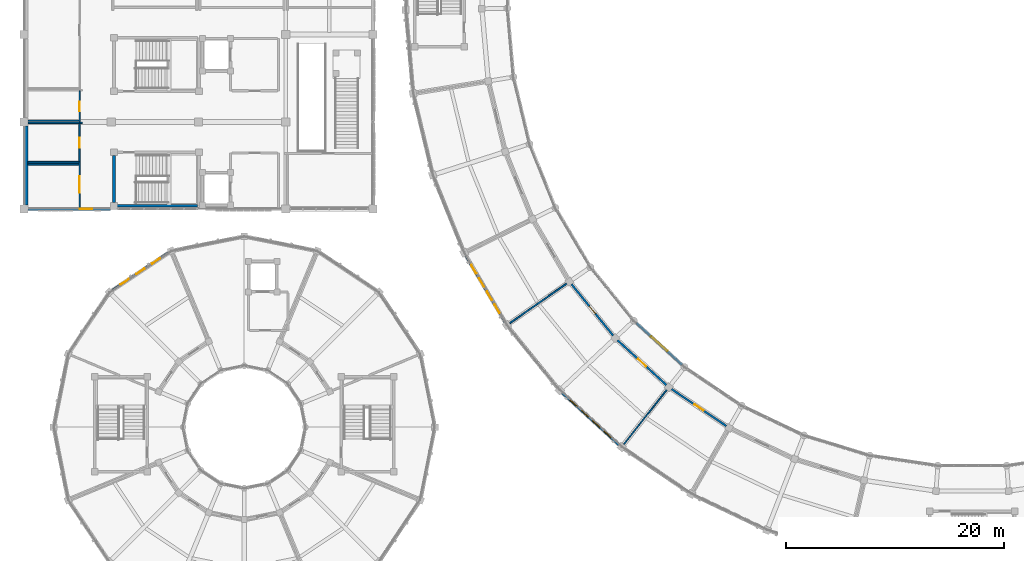
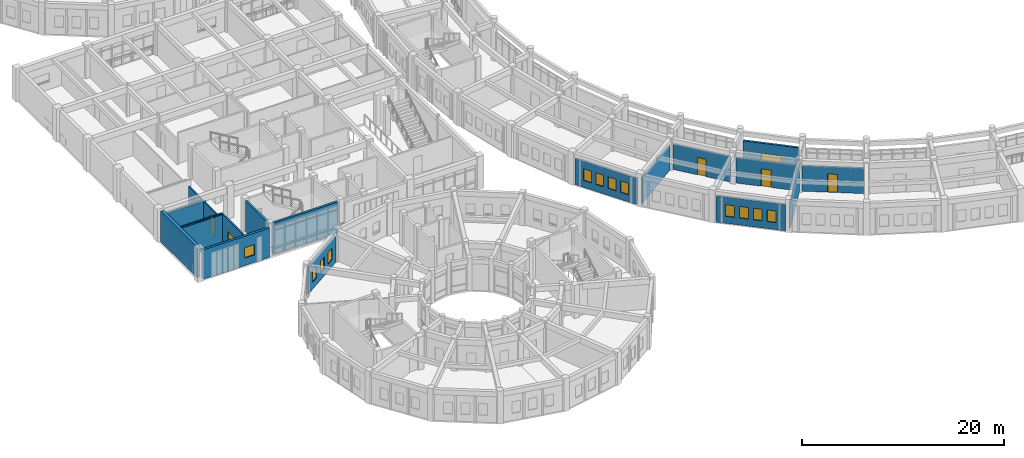
# One storey, part 119 of 159: 20 walls, 13 windows, 6 doors, 19 openings.
"""IFC4 building model written with IfcOpenShell, lengths in metres."""

from ifc_helpers import new_model, si_unit, direction, frame, frame_2d, origin, place, context, subcontext, project, spatial, rectangle, extrude, material, layer, layer_set, type_object, element, fill, save


model = new_model("IFC4")

# Units and contexts
model_context = context("Model", 3, precision=1e-05, world=origin(), true_north=direction((0.0, 1.0)))
body_context = subcontext(model_context, "Body", "Model", "MODEL_VIEW")
ifc_project = project(units=[si_unit("LENGTHUNIT", "METRE"), si_unit("AREAUNIT", "SQUARE_METRE"), si_unit("VOLUMEUNIT", "CUBIC_METRE"), si_unit("PLANEANGLEUNIT", "RADIAN"), si_unit("MASSUNIT", "GRAM", prefix="KILO")], contexts=[model_context])

# Site, building, storey
site_placement = place(None, origin())
site = spatial("IfcSite", under=ifc_project, at=site_placement, CompositionType="ELEMENT")
building_placement = place(site_placement, origin())
building = spatial("IfcBuilding", under=site, at=building_placement, Name="Celadon Cloister-Ring School", CompositionType="ELEMENT")
storey_placement = place(building_placement, frame((0.0, 0.0, 4.5)))
storey = spatial("IfcBuildingStorey", under=building, at=storey_placement, Name="L01", CompositionType="ELEMENT", Elevation=4.5)

# Wall, opening, window
ifc_material_1 = material(Name="Rendered concrete blockwork", Category="masonry")
ifc_layer_1 = layer(ifc_material_1, 0.260009765625)
ifc_layer_set_1 = layer_set([ifc_layer_1], Name="Rendered concrete blockwork")
wall_type_1 = type_object("IfcWallType", Name="WT-EX2", PredefinedType="SOLIDWALL", material=ifc_layer_set_1)
wall_1_placement = place(storey_placement, frame((7.947998046875, 40.0, 0.0), z_axis=(0.0, 0.0, 1.0), x_axis=(-1.0, 0.0, 0.0)))
wall_1 = element("IfcWall", 1, at=wall_1_placement, inside=storey, type_object=wall_type_1, Name="Exterior Wall 0509", PredefinedType="SOLIDWALL", context=body_context, shape_type="SweptSolid", body=[
    extrude(rectangle(XDim=7.571044921875, YDim=0.260009765625, at=frame_2d((3.78564453125, 0.0))), origin(), (0.0, 0.0, 1.0), 3.550048828125),
])
opening_1_placement = place(wall_1_placement, frame((1.696044921875, 0.0, 0.89990234375)))
opening_1 = element("IfcOpeningElement", 2, at=opening_1_placement, cuts=wall_1, Name="Opening WN-13", PredefinedType="OPENING", context=body_context, shape_type="SweptSolid", body=[
    extrude(rectangle(XDim=1.14990234375, YDim=1.25, at=frame_2d((0.574951171875, 0.625))), frame((0.0, 0.14013671875, 0.0), z_axis=(0.0, -1.0, 0.0), x_axis=(1.0, 0.0, 0.0)), (0.0, 0.0, 1.0), 0.280029296875),
])
ifc_material_2 = material(Name="Tempered laminated insulating glass", Category="glass")
window_type_1 = type_object("IfcWindowType", Name="WN-13", PartitioningType="SINGLE_PANEL", PredefinedType="WINDOW", material=ifc_material_2)
window_1_placement = place(opening_1_placement, origin())
window_1 = element("IfcWindow", 3, at=window_1_placement, inside=storey, type_object=window_type_1, Name="Window 1001", OverallHeight=1.25, OverallWidth=1.14990234375, PartitioningType="SINGLE_PANEL", PredefinedType="WINDOW", context=body_context, shape_type="SweptSolid", body=[
    extrude(rectangle(XDim=1.14990234375, YDim=1.25, at=frame_2d((0.574951171875, 0.625))), frame((0.0, 0.030029296875, 0.0), z_axis=(0.0, -1.0, 0.0), x_axis=(1.0, 0.0, 0.0)), (0.0, 0.0, 1.0), 0.06005859375),
])
fill(opening_1, window_1)

ifc_material_3 = material(Name="Rendered concrete blockwork", Category="masonry")
ifc_layer_2 = layer(ifc_material_3, 0.239990234375)
ifc_layer_set_2 = layer_set([ifc_layer_2], Name="Rendered concrete blockwork")
wall_type_2 = type_object("IfcWallType", Name="WT-EX3", PredefinedType="SOLIDWALL", material=ifc_layer_set_2)
wall_2_placement = place(storey_placement, frame((56.18701171875, 29.5439453125, 0.0), z_axis=(0.0, 0.0, 1.0), x_axis=(0.737581583684, -0.675258030245, 0.0)))
wall_2 = element("IfcWall", 4, at=wall_2_placement, inside=storey, type_object=wall_type_2, Name="Exterior Wall 0070", PredefinedType="SOLIDWALL", context=body_context, shape_type="SweptSolid", body=[
    extrude(rectangle(XDim=5.66455078125, YDim=0.239990234375, at=frame_2d((2.832275390625, 0.0))), origin(), (0.0, 0.0, 1.0), 3.550048828125),
])
opening_2_placement = place(wall_2_placement, frame((1.83203125, 0.0, 0.89990234375)))
opening_2 = element("IfcOpeningElement", 5, at=opening_2_placement, cuts=wall_2, Name="Opening WN-28", PredefinedType="OPENING", context=body_context, shape_type="SweptSolid", body=[
    extrude(rectangle(XDim=2.0, YDim=1.39990234375, at=frame_2d((1.0, 0.699951171875))), frame((0.0, 0.1298828125, 0.0), z_axis=(0.0, -1.0, 0.0), x_axis=(1.0, 0.0, 0.0)), (0.0, 0.0, 1.0), 0.260009765625),
])
ifc_material_4 = material(Name="Tempered laminated insulating glass", Category="glass")
window_type_2 = type_object("IfcWindowType", Name="WN-28", PartitioningType="DOUBLE_PANEL_VERTICAL", PredefinedType="WINDOW", material=ifc_material_4)
window_2_placement = place(opening_2_placement, origin())
window_2 = element("IfcWindow", 6, at=window_2_placement, inside=storey, type_object=window_type_2, Name="Window 0181", OverallHeight=1.39990234375, OverallWidth=2.0, PartitioningType="SINGLE_PANEL", PredefinedType="WINDOW", context=body_context, shape_type="SweptSolid", body=[
    extrude(rectangle(XDim=2.0, YDim=1.39990234375, at=frame_2d((1.0, 0.699951171875))), frame((0.0, 0.030029296875, 0.0), z_axis=(0.0, -1.0, 0.0), x_axis=(1.0, 0.0, 0.0)), (0.0, 0.0, 1.0), 0.06005859375),
])
fill(opening_2, window_2)

# Wall, openings, windows
ifc_material_5 = material(Name="Perforated terracotta clay brick masonry", Category="masonry")
ifc_layer_3 = layer(ifc_material_5, 0.219970703125)
ifc_layer_set_3 = layer_set([ifc_layer_3], Name="Perforated terracotta clay brick masonry")
wall_type_3 = type_object("IfcWallType", Name="WT-EX4", PredefinedType="SOLIDWALL", material=ifc_layer_set_3)
wall_3_placement = place(storey_placement, frame((44.116943359375, 29.6298828125, 0.0), z_axis=(0.0, 0.0, 1.0), x_axis=(-0.50780734215, 0.861470663028, 0.0)))
wall_3 = element("IfcWall", 7, at=wall_3_placement, inside=storey, type_object=wall_type_3, Name="Exterior Wall 0067", PredefinedType="SOLIDWALL", context=body_context, shape_type="SweptSolid", body=[
    extrude(rectangle(XDim=7.0322265625, YDim=0.219970703125, at=frame_2d((3.51611328125, 0.0))), origin(), (0.0, 0.0, 1.0), 3.172119140625),
])
opening_3_placement = place(wall_3_placement, frame((0.9560546875, 0.0, 0.85009765625)))
opening_3 = element("IfcOpeningElement", 8, at=opening_3_placement, cuts=wall_3, Name="Opening WN-21", PredefinedType="OPENING", context=body_context, shape_type="SweptSolid", body=[
    extrude(rectangle(XDim=0.89990234375, YDim=1.39990234375, at=frame_2d((0.449951171875, 0.699951171875))), frame((0.0, 0.1201171875, 0.0), z_axis=(0.0, -1.0, 0.0), x_axis=(1.0, 0.0, 0.0)), (0.0, 0.0, 1.0), 0.239990234375),
])
opening_4_placement = place(wall_3_placement, frame((2.363037109375, 0.0, 0.85009765625)))
opening_4 = element("IfcOpeningElement", 9, at=opening_4_placement, cuts=wall_3, Name="Opening WN-21", PredefinedType="OPENING", context=body_context, shape_type="SweptSolid", body=[
    extrude(rectangle(XDim=0.89990234375, YDim=1.39990234375, at=frame_2d((0.449951171875, 0.699951171875))), frame((0.0, 0.1201171875, 0.0), z_axis=(0.0, -1.0, 0.0), x_axis=(1.0, 0.0, 0.0)), (0.0, 0.0, 1.0), 0.239990234375),
])
opening_5_placement = place(wall_3_placement, frame((3.76904296875, 0.0, 0.85009765625)))
opening_5 = element("IfcOpeningElement", 10, at=opening_5_placement, cuts=wall_3, Name="Opening WN-21", PredefinedType="OPENING", context=body_context, shape_type="SweptSolid", body=[
    extrude(rectangle(XDim=0.89990234375, YDim=1.39990234375, at=frame_2d((0.449951171875, 0.699951171875))), frame((0.0, 0.1201171875, 0.0), z_axis=(0.0, -1.0, 0.0), x_axis=(1.0, 0.0, 0.0)), (0.0, 0.0, 1.0), 0.239990234375),
])
opening_6_placement = place(wall_3_placement, frame((5.176025390625, 0.0, 0.85009765625)))
opening_6 = element("IfcOpeningElement", 11, at=opening_6_placement, cuts=wall_3, Name="Opening WN-21", PredefinedType="OPENING", context=body_context, shape_type="SweptSolid", body=[
    extrude(rectangle(XDim=0.89990234375, YDim=1.39990234375, at=frame_2d((0.449951171875, 0.699951171875))), frame((0.0, 0.1201171875, 0.0), z_axis=(0.0, -1.0, 0.0), x_axis=(1.0, 0.0, 0.0)), (0.0, 0.0, 1.0), 0.239990234375),
])
ifc_material_6 = material(Name="Tempered laminated insulating glass", Category="glass")
window_type_3 = type_object("IfcWindowType", Name="WN-21", PartitioningType="SINGLE_PANEL", PredefinedType="WINDOW", material=ifc_material_6)
window_3_placement = place(opening_3_placement, origin())
window_3 = element("IfcWindow", 12, at=window_3_placement, inside=storey, type_object=window_type_3, Name="Window 0169", OverallHeight=1.39990234375, OverallWidth=0.89990234375, PartitioningType="SINGLE_PANEL", PredefinedType="WINDOW", context=body_context, shape_type="SweptSolid", body=[
    extrude(rectangle(XDim=0.89990234375, YDim=1.39990234375, at=frame_2d((0.449951171875, 0.699951171875))), frame((0.0, 0.030029296875, 0.0), z_axis=(0.0, -1.0, 0.0), x_axis=(1.0, 0.0, 0.0)), (0.0, 0.0, 1.0), 0.06005859375),
])
fill(opening_3, window_3)
window_4_placement = place(opening_4_placement, origin())
window_4 = element("IfcWindow", 13, at=window_4_placement, inside=storey, type_object=window_type_3, Name="Window 0170", OverallHeight=1.39990234375, OverallWidth=0.89990234375, PartitioningType="SINGLE_PANEL", PredefinedType="WINDOW", context=body_context, shape_type="SweptSolid", body=[
    extrude(rectangle(XDim=0.89990234375, YDim=1.39990234375, at=frame_2d((0.449951171875, 0.699951171875))), frame((0.0, 0.030029296875, 0.0), z_axis=(0.0, -1.0, 0.0), x_axis=(1.0, 0.0, 0.0)), (0.0, 0.0, 1.0), 0.06005859375),
])
fill(opening_4, window_4)
window_5_placement = place(opening_5_placement, origin())
window_5 = element("IfcWindow", 14, at=window_5_placement, inside=storey, type_object=window_type_3, Name="Window 0171", OverallHeight=1.39990234375, OverallWidth=0.89990234375, PartitioningType="SINGLE_PANEL", PredefinedType="WINDOW", context=body_context, shape_type="SweptSolid", body=[
    extrude(rectangle(XDim=0.89990234375, YDim=1.39990234375, at=frame_2d((0.449951171875, 0.699951171875))), frame((0.0, 0.030029296875, 0.0), z_axis=(0.0, -1.0, 0.0), x_axis=(1.0, 0.0, 0.0)), (0.0, 0.0, 1.0), 0.06005859375),
])
fill(opening_5, window_5)
window_6_placement = place(opening_6_placement, origin())
window_6 = element("IfcWindow", 15, at=window_6_placement, inside=storey, type_object=window_type_3, Name="Window 0172", OverallHeight=1.39990234375, OverallWidth=0.89990234375, PartitioningType="SINGLE_PANEL", PredefinedType="WINDOW", context=body_context, shape_type="SweptSolid", body=[
    extrude(rectangle(XDim=0.89990234375, YDim=1.39990234375, at=frame_2d((0.449951171875, 0.699951171875))), frame((0.0, 0.030029296875, 0.0), z_axis=(0.0, -1.0, 0.0), x_axis=(1.0, 0.0, 0.0)), (0.0, 0.0, 1.0), 0.06005859375),
])
fill(opening_6, window_6)

wall_4_placement = place(storey_placement, frame((54.572021484375, 18.3798828125, 0.0), z_axis=(0.0, 0.0, 1.0), x_axis=(-0.737497040912, 0.675350364364, 0.0)))
wall_4 = element("IfcWall", 16, at=wall_4_placement, inside=storey, type_object=wall_type_3, Name="Exterior Wall 0069", PredefinedType="SOLIDWALL", context=body_context, shape_type="SweptSolid", body=[
    extrude(rectangle(XDim=7.031982421875, YDim=0.219970703125, at=frame_2d((3.51611328125, 0.0))), origin(), (0.0, 0.0, 1.0), 3.172119140625),
])
opening_7_placement = place(wall_4_placement, frame((0.9560546875, 0.0, 0.85009765625)))
opening_7 = element("IfcOpeningElement", 17, at=opening_7_placement, cuts=wall_4, Name="Opening WN-21", PredefinedType="OPENING", context=body_context, shape_type="SweptSolid", body=[
    extrude(rectangle(XDim=0.89990234375, YDim=1.39990234375, at=frame_2d((0.449951171875, 0.699951171875))), frame((0.0, 0.1201171875, 0.0), z_axis=(0.0, -1.0, 0.0), x_axis=(1.0, 0.0, 0.0)), (0.0, 0.0, 1.0), 0.239990234375),
])
opening_8_placement = place(wall_4_placement, frame((2.363037109375, 0.0, 0.85009765625)))
opening_8 = element("IfcOpeningElement", 18, at=opening_8_placement, cuts=wall_4, Name="Opening WN-21", PredefinedType="OPENING", context=body_context, shape_type="SweptSolid", body=[
    extrude(rectangle(XDim=0.89990234375, YDim=1.39990234375, at=frame_2d((0.449951171875, 0.699951171875))), frame((0.0, 0.1201171875, 0.0), z_axis=(0.0, -1.0, 0.0), x_axis=(1.0, 0.0, 0.0)), (0.0, 0.0, 1.0), 0.239990234375),
])
opening_9_placement = place(wall_4_placement, frame((3.76904296875, 0.0, 0.85009765625)))
opening_9 = element("IfcOpeningElement", 19, at=opening_9_placement, cuts=wall_4, Name="Opening WN-21", PredefinedType="OPENING", context=body_context, shape_type="SweptSolid", body=[
    extrude(rectangle(XDim=0.89990234375, YDim=1.39990234375, at=frame_2d((0.449951171875, 0.699951171875))), frame((0.0, 0.1201171875, 0.0), z_axis=(0.0, -1.0, 0.0), x_axis=(1.0, 0.0, 0.0)), (0.0, 0.0, 1.0), 0.239990234375),
])
opening_10_placement = place(wall_4_placement, frame((5.176025390625, 0.0, 0.85009765625)))
opening_10 = element("IfcOpeningElement", 20, at=opening_10_placement, cuts=wall_4, Name="Opening WN-21", PredefinedType="OPENING", context=body_context, shape_type="SweptSolid", body=[
    extrude(rectangle(XDim=0.89990234375, YDim=1.39990234375, at=frame_2d((0.449951171875, 0.699951171875))), frame((0.0, 0.1201171875, 0.0), z_axis=(0.0, -1.0, 0.0), x_axis=(1.0, 0.0, 0.0)), (0.0, 0.0, 1.0), 0.239990234375),
])
window_7_placement = place(opening_7_placement, origin())
window_7 = element("IfcWindow", 21, at=window_7_placement, inside=storey, type_object=window_type_3, Name="Window 0177", OverallHeight=1.39990234375, OverallWidth=0.89990234375, PartitioningType="SINGLE_PANEL", PredefinedType="WINDOW", context=body_context, shape_type="SweptSolid", body=[
    extrude(rectangle(XDim=0.89990234375, YDim=1.39990234375, at=frame_2d((0.449951171875, 0.699951171875))), frame((0.0, 0.030029296875, 0.0), z_axis=(0.0, -1.0, 0.0), x_axis=(1.0, 0.0, 0.0)), (0.0, 0.0, 1.0), 0.06005859375),
])
fill(opening_7, window_7)
window_8_placement = place(opening_8_placement, origin())
window_8 = element("IfcWindow", 22, at=window_8_placement, inside=storey, type_object=window_type_3, Name="Window 0178", OverallHeight=1.39990234375, OverallWidth=0.89990234375, PartitioningType="SINGLE_PANEL", PredefinedType="WINDOW", context=body_context, shape_type="SweptSolid", body=[
    extrude(rectangle(XDim=0.89990234375, YDim=1.39990234375, at=frame_2d((0.449951171875, 0.699951171875))), frame((0.0, 0.030029296875, 0.0), z_axis=(0.0, -1.0, 0.0), x_axis=(1.0, 0.0, 0.0)), (0.0, 0.0, 1.0), 0.06005859375),
])
fill(opening_8, window_8)
window_9_placement = place(opening_9_placement, origin())
window_9 = element("IfcWindow", 23, at=window_9_placement, inside=storey, type_object=window_type_3, Name="Window 0179", OverallHeight=1.39990234375, OverallWidth=0.89990234375, PartitioningType="SINGLE_PANEL", PredefinedType="WINDOW", context=body_context, shape_type="SweptSolid", body=[
    extrude(rectangle(XDim=0.89990234375, YDim=1.39990234375, at=frame_2d((0.449951171875, 0.699951171875))), frame((0.0, 0.030029296875, 0.0), z_axis=(0.0, -1.0, 0.0), x_axis=(1.0, 0.0, 0.0)), (0.0, 0.0, 1.0), 0.06005859375),
])
fill(opening_9, window_9)
window_10_placement = place(opening_10_placement, origin())
window_10 = element("IfcWindow", 24, at=window_10_placement, inside=storey, type_object=window_type_3, Name="Window 0180", OverallHeight=1.39990234375, OverallWidth=0.89990234375, PartitioningType="SINGLE_PANEL", PredefinedType="WINDOW", context=body_context, shape_type="SweptSolid", body=[
    extrude(rectangle(XDim=0.89990234375, YDim=1.39990234375, at=frame_2d((0.449951171875, 0.699951171875))), frame((0.0, 0.030029296875, 0.0), z_axis=(0.0, -1.0, 0.0), x_axis=(1.0, 0.0, 0.0)), (0.0, 0.0, 1.0), 0.06005859375),
])
fill(opening_10, window_10)

wall_5_placement = place(storey_placement, frame((8.10009765625, 32.556884765625, 0.0), z_axis=(0.0, 0.0, 1.0), x_axis=(0.831379966495, 0.555704374025, 0.0)))
wall_5 = element("IfcWall", 25, at=wall_5_placement, inside=storey, type_object=wall_type_3, Name="Exterior Wall 0317", PredefinedType="SOLIDWALL", context=body_context, shape_type="SweptSolid", body=[
    extrude(rectangle(XDim=6.169189453125, YDim=0.219970703125, at=frame_2d((3.08447265625, 0.0))), origin(), (0.0, 0.0, 1.0), 3.172119140625),
])
opening_11_placement = place(wall_5_placement, frame((0.906982421875, 0.0, 0.85009765625)))
opening_11 = element("IfcOpeningElement", 26, at=opening_11_placement, cuts=wall_5, Name="Opening WN-21", PredefinedType="OPENING", context=body_context, shape_type="SweptSolid", body=[
    extrude(rectangle(XDim=0.89990234375, YDim=1.39990234375, at=frame_2d((0.449951171875, 0.699951171875))), frame((0.0, 0.1201171875, 0.0), z_axis=(0.0, -1.0, 0.0), x_axis=(1.0, 0.0, 0.0)), (0.0, 0.0, 1.0), 0.239990234375),
])
opening_12_placement = place(wall_5_placement, frame((2.635009765625, 0.0, 0.85009765625)))
opening_12 = element("IfcOpeningElement", 27, at=opening_12_placement, cuts=wall_5, Name="Opening WN-21", PredefinedType="OPENING", context=body_context, shape_type="SweptSolid", body=[
    extrude(rectangle(XDim=0.89990234375, YDim=1.39990234375, at=frame_2d((0.449951171875, 0.699951171875))), frame((0.0, 0.1201171875, 0.0), z_axis=(0.0, -1.0, 0.0), x_axis=(1.0, 0.0, 0.0)), (0.0, 0.0, 1.0), 0.239990234375),
])
opening_13_placement = place(wall_5_placement, frame((4.362060546875, 0.0, 0.85009765625)))
opening_13 = element("IfcOpeningElement", 28, at=opening_13_placement, cuts=wall_5, Name="Opening WN-21", PredefinedType="OPENING", context=body_context, shape_type="SweptSolid", body=[
    extrude(rectangle(XDim=0.89990234375, YDim=1.39990234375, at=frame_2d((0.449951171875, 0.699951171875))), frame((0.0, 0.1201171875, 0.0), z_axis=(0.0, -1.0, 0.0), x_axis=(1.0, 0.0, 0.0)), (0.0, 0.0, 1.0), 0.239990234375),
])
window_11_placement = place(opening_11_placement, origin())
window_11 = element("IfcWindow", 29, at=window_11_placement, inside=storey, type_object=window_type_3, Name="Window 0818", OverallHeight=1.39990234375, OverallWidth=0.89990234375, PartitioningType="SINGLE_PANEL", PredefinedType="WINDOW", context=body_context, shape_type="SweptSolid", body=[
    extrude(rectangle(XDim=0.89990234375, YDim=1.39990234375, at=frame_2d((0.449951171875, 0.699951171875))), frame((0.0, 0.030029296875, 0.0), z_axis=(0.0, -1.0, 0.0), x_axis=(1.0, 0.0, 0.0)), (0.0, 0.0, 1.0), 0.06005859375),
])
fill(opening_11, window_11)
window_12_placement = place(opening_12_placement, origin())
window_12 = element("IfcWindow", 30, at=window_12_placement, inside=storey, type_object=window_type_3, Name="Window 0819", OverallHeight=1.39990234375, OverallWidth=0.89990234375, PartitioningType="SINGLE_PANEL", PredefinedType="WINDOW", context=body_context, shape_type="SweptSolid", body=[
    extrude(rectangle(XDim=0.89990234375, YDim=1.39990234375, at=frame_2d((0.449951171875, 0.699951171875))), frame((0.0, 0.030029296875, 0.0), z_axis=(0.0, -1.0, 0.0), x_axis=(1.0, 0.0, 0.0)), (0.0, 0.0, 1.0), 0.06005859375),
])
fill(opening_12, window_12)
window_13_placement = place(opening_13_placement, origin())
window_13 = element("IfcWindow", 31, at=window_13_placement, inside=storey, type_object=window_type_3, Name="Window 0820", OverallHeight=1.39990234375, OverallWidth=0.89990234375, PartitioningType="SINGLE_PANEL", PredefinedType="WINDOW", context=body_context, shape_type="SweptSolid", body=[
    extrude(rectangle(XDim=0.89990234375, YDim=1.39990234375, at=frame_2d((0.449951171875, 0.699951171875))), frame((0.0, 0.030029296875, 0.0), z_axis=(0.0, -1.0, 0.0), x_axis=(1.0, 0.0, 0.0)), (0.0, 0.0, 1.0), 0.06005859375),
])
fill(opening_13, window_13)

# Wall
ifc_material_7 = material(Name="Concrete C40/50", Category="concrete")
ifc_layer_4 = layer(ifc_material_7, 0.35009765625)
ifc_layer_set_4 = layer_set([ifc_layer_4], Name="Concrete C40/50")
wall_type_4 = type_object("IfcWallType", Name="WT-FW2", PredefinedType="SHEAR", material=ifc_layer_set_4)
wall_6_placement = place(storey_placement, frame((0.175048828125, 40.376953125, 0.0), z_axis=(0.0, 0.0, 1.0), x_axis=(0.0, 1.0, 0.0)))
element("IfcWall", 32, at=wall_6_placement, inside=storey, type_object=wall_type_4, Name="Exterior Wall 0510", PredefinedType="SHEAR", context=body_context, shape_type="SweptSolid", body=[
    extrude(rectangle(XDim=7.24609375, YDim=0.35009765625, at=frame_2d((3.623046875, 0.0))), origin(), (0.0, 0.0, 1.0), 3.699951171875),
])

# Wall, opening, door
ifc_material_8 = material(Name="Plastered hollow concrete masonry", Category="masonry")
ifc_layer_5 = layer(ifc_material_8, 0.179931640625)
ifc_layer_set_5 = layer_set([ifc_layer_5], Name="Plastered hollow concrete masonry")
wall_type_5 = type_object("IfcWallType", Name="WT-PT2", PredefinedType="PARTITIONING", material=ifc_layer_set_5)
wall_7_placement = place(storey_placement, frame((50.221923828125, 33.10595703125, 0.0), z_axis=(0.0, 0.0, 1.0), x_axis=(0.629617338729, -0.776905404005, 0.0)))
wall_7 = element("IfcWall", 33, at=wall_7_placement, inside=storey, type_object=wall_type_5, Name="Interior Wall 0517", PredefinedType="PARTITIONING", context=body_context, shape_type="SweptSolid", body=[
    extrude(rectangle(XDim=6.08154296875, YDim=0.179931640625, at=frame_2d((3.040771484375, 0.0))), origin(), (0.0, 0.0, 1.0), 3.072021484375),
])
opening_14_placement = place(wall_7_placement, frame((2.60107421875, 0.0, 0.0)))
opening_14 = element("IfcOpeningElement", 34, at=opening_14_placement, cuts=wall_7, Name="Opening D-0155", PredefinedType="OPENING", context=body_context, shape_type="SweptSolid", body=[
    extrude(rectangle(XDim=0.8798828125, YDim=2.10009765625, at=frame_2d((0.43994140625, 1.050048828125))), frame((0.0, 0.10009765625, 0.0), z_axis=(0.0, -1.0, 0.0), x_axis=(1.0, 0.0, 0.0)), (0.0, 0.0, 1.0), 0.199951171875),
])
ifc_material_9 = material(Name="Solid-core fire-rated hardwood leaf", Category="wood")
door_type_1 = type_object("IfcDoorType", Name="DT-01", OperationType="NOTDEFINED", PredefinedType="DOOR", material=ifc_material_9)
door_1_placement = place(opening_14_placement, origin())
door_1 = element("IfcDoor", 35, at=door_1_placement, inside=storey, type_object=door_type_1, Name="Door D-0155", OperationType="SINGLE_SWING_LEFT", OverallHeight=2.10009765625, OverallWidth=0.8798828125, PredefinedType="DOOR", context=body_context, shape_type="SweptSolid", body=[
    extrude(rectangle(XDim=0.8798828125, YDim=2.10009765625, at=frame_2d((0.43994140625, 1.050048828125))), frame((0.0, 0.02490234375, 0.0), z_axis=(0.0, -1.0, 0.0), x_axis=(1.0, 0.0, 0.0)), (0.0, 0.0, 1.0), 0.050048828125),
])
fill(opening_14, door_1)

wall_8_placement = place(storey_placement, frame((54.450927734375, 27.9560546875, 0.0), z_axis=(0.0, 0.0, 1.0), x_axis=(0.737595632739, -0.675242684199, 0.0)))
wall_8 = element("IfcWall", 36, at=wall_8_placement, inside=storey, type_object=wall_type_5, Name="Interior Wall 0518", PredefinedType="PARTITIONING", context=body_context, shape_type="SweptSolid", body=[
    extrude(rectangle(XDim=6.080810546875, YDim=0.179931640625, at=frame_2d((3.04052734375, 0.0))), origin(), (0.0, 0.0, 1.0), 3.072021484375),
])
opening_15_placement = place(wall_8_placement, frame((2.5400390625, 0.0, 0.0)))
opening_15 = element("IfcOpeningElement", 37, at=opening_15_placement, cuts=wall_8, Name="Opening D-0156", PredefinedType="OPENING", context=body_context, shape_type="SweptSolid", body=[
    extrude(rectangle(XDim=1.0, YDim=2.10009765625, at=frame_2d((0.5, 1.050048828125))), frame((0.0, 0.10009765625, 0.0), z_axis=(0.0, -1.0, 0.0), x_axis=(1.0, 0.0, 0.0)), (0.0, 0.0, 1.0), 0.199951171875),
])
ifc_material_10 = material(Name="Solid-core fire-rated hardwood leaf", Category="wood")
door_type_2 = type_object("IfcDoorType", Name="DT-04", OperationType="NOTDEFINED", PredefinedType="DOOR", material=ifc_material_10)
door_2_placement = place(opening_15_placement, origin())
door_2 = element("IfcDoor", 38, at=door_2_placement, inside=storey, type_object=door_type_2, Name="Door D-0156", OperationType="SINGLE_SWING_RIGHT", OverallHeight=2.10009765625, OverallWidth=1.0, PredefinedType="DOOR", context=body_context, shape_type="SweptSolid", body=[
    extrude(rectangle(XDim=1.0, YDim=2.10009765625, at=frame_2d((0.5, 1.050048828125))), frame((0.0, 0.02490234375, 0.0), z_axis=(0.0, -1.0, 0.0), x_axis=(1.0, 0.0, 0.0)), (0.0, 0.0, 1.0), 0.050048828125),
])
fill(opening_15, door_2)

wall_9_placement = place(storey_placement, frame((59.39501953125, 23.488037109375, 0.0), z_axis=(0.0, 0.0, 1.0), x_axis=(0.829259954876, -0.558863066626, 0.0)))
wall_9 = element("IfcWall", 39, at=wall_9_placement, inside=storey, type_object=wall_type_5, Name="Interior Wall 0519", PredefinedType="PARTITIONING", context=body_context, shape_type="SweptSolid", body=[
    extrude(rectangle(XDim=6.080078125, YDim=0.179931640625, at=frame_2d((3.0400390625, 0.0))), origin(), (0.0, 0.0, 1.0), 3.072021484375),
])
opening_16_placement = place(wall_9_placement, frame((2.550048828125, 0.0, 0.0)))
opening_16 = element("IfcOpeningElement", 40, at=opening_16_placement, cuts=wall_9, Name="Opening D-0157", PredefinedType="OPENING", context=body_context, shape_type="SweptSolid", body=[
    extrude(rectangle(XDim=0.97998046875, YDim=2.199951171875, at=frame_2d((0.489990234375, 1.10009765625))), frame((0.0, 0.10009765625, 0.0), z_axis=(0.0, -1.0, 0.0), x_axis=(1.0, 0.0, 0.0)), (0.0, 0.0, 1.0), 0.199951171875),
])
ifc_material_11 = material(Name="Solid-core fire-rated hardwood leaf", Category="wood")
door_type_3 = type_object("IfcDoorType", Name="DT-07", OperationType="NOTDEFINED", PredefinedType="DOOR", material=ifc_material_11)
door_3_placement = place(opening_16_placement, origin())
door_3 = element("IfcDoor", 41, at=door_3_placement, inside=storey, type_object=door_type_3, Name="Door D-0157", OperationType="SINGLE_SWING_LEFT", OverallHeight=2.199951171875, OverallWidth=0.97998046875, PredefinedType="DOOR", context=body_context, shape_type="SweptSolid", body=[
    extrude(rectangle(XDim=0.97998046875, YDim=2.199951171875, at=frame_2d((0.489990234375, 1.10009765625))), frame((0.0, 0.02490234375, 0.0), z_axis=(0.0, -1.0, 0.0), x_axis=(1.0, 0.0, 0.0)), (0.0, 0.0, 1.0), 0.050048828125),
])
fill(opening_16, door_3)

ifc_material_12 = material(Name="Plastered hollow concrete masonry", Category="masonry")
ifc_layer_6 = layer(ifc_material_12, 0.159912109375)
ifc_layer_set_6 = layer_set([ifc_layer_6], Name="Plastered hollow concrete masonry")
wall_type_6 = type_object("IfcWallType", Name="WT-PT3", PredefinedType="PARTITIONING", material=ifc_layer_set_6)
wall_10_placement = place(storey_placement, frame((5.10009765625, 44.340087890625, 0.0), z_axis=(0.0, 0.0, 1.0), x_axis=(0.0, -1.0, 0.0)))
wall_10 = element("IfcWall", 42, at=wall_10_placement, inside=storey, type_object=wall_type_6, Name="Interior Wall 1001", PredefinedType="PARTITIONING", context=body_context, shape_type="SweptSolid", body=[
    extrude(rectangle(XDim=4.20703125, YDim=0.159912109375, at=frame_2d((2.103515625, 0.0))), origin(), (0.0, 0.0, 1.0), 3.699951171875),
])
opening_17_placement = place(wall_10_placement, frame((1.35400390625, 0.0, 0.0)))
opening_17 = element("IfcOpeningElement", 43, at=opening_17_placement, cuts=wall_10, Name="Opening D-0359", PredefinedType="OPENING", context=body_context, shape_type="SweptSolid", body=[
    extrude(rectangle(XDim=1.5, YDim=2.280029296875, at=frame_2d((0.75, 1.14013671875))), frame((0.0, 0.08984375, 0.0), z_axis=(0.0, -1.0, 0.0), x_axis=(1.0, 0.0, 0.0)), (0.0, 0.0, 1.0), 0.179931640625),
])
ifc_material_13 = material(Name="Galvanised fire-rated hollow steel leaf", Category="steel")
door_type_4 = type_object("IfcDoorType", Name="DT-17", OperationType="NOTDEFINED", PredefinedType="DOOR", material=ifc_material_13)
door_4_placement = place(opening_17_placement, origin())
door_4 = element("IfcDoor", 44, at=door_4_placement, inside=storey, type_object=door_type_4, Name="Door D-0359", OperationType="SINGLE_SWING_LEFT", OverallHeight=2.280029296875, OverallWidth=1.5, PredefinedType="DOOR", context=body_context, shape_type="SweptSolid", body=[
    extrude(rectangle(XDim=1.5, YDim=2.280029296875, at=frame_2d((0.75, 1.14013671875))), frame((0.0, 0.02490234375, 0.0), z_axis=(0.0, -1.0, 0.0), x_axis=(1.0, 0.0, 0.0)), (0.0, 0.0, 1.0), 0.050048828125),
])
fill(opening_17, door_4)

# Walls
wall_11_placement = place(storey_placement, frame((0.35302734375, 44.10009765625, 0.0), z_axis=(0.0, 0.0, 1.0), x_axis=(1.0, 0.0, 0.0)))
element("IfcWall", 45, at=wall_11_placement, inside=storey, type_object=wall_type_6, Name="Interior Wall 1002", PredefinedType="PARTITIONING", context=body_context, shape_type="SweptSolid", body=[
    extrude(rectangle(XDim=4.6640625, YDim=0.159912109375, at=frame_2d((2.33203125, 0.0))), origin(), (0.0, 0.0, 1.0), 3.699951171875),
])
ifc_material_14 = material(Name="Acoustic mineral-wool drywall partition")
ifc_layer_7 = layer(ifc_material_14, 0.139892578125)
ifc_layer_set_7 = layer_set([ifc_layer_7], Name="Acoustic mineral-wool drywall partition")
wall_type_7 = type_object("IfcWallType", Name="WT-PT4", PredefinedType="PARTITIONING", material=ifc_layer_set_7)
wall_12_placement = place(storey_placement, frame((49.798095703125, 33.166015625, 0.0), z_axis=(0.0, 0.0, 1.0), x_axis=(-0.821501195804, -0.570206791693, 0.0)))
element("IfcWall", 46, at=wall_12_placement, inside=storey, type_object=wall_type_7, Name="Interior Wall 0489", PredefinedType="PARTITIONING", context=body_context, shape_type="SweptSolid", body=[
    extrude(rectangle(XDim=6.390625, YDim=0.139892578125, at=frame_2d((3.1953125, 0.0))), origin(), (0.0, 0.0, 1.0), 3.072021484375),
])
wall_13_placement = place(storey_placement, frame((0.366943359375, 47.89990234375, 0.0), z_axis=(0.0, 0.0, 1.0), x_axis=(1.0, 0.0, 0.0)))
element("IfcWall", 47, at=wall_13_placement, inside=storey, type_object=wall_type_7, Name="Interior Wall 1003", PredefinedType="PARTITIONING", context=body_context, shape_type="SweptSolid", body=[
    extrude(rectangle(XDim=4.97314453125, YDim=0.139892578125, at=frame_2d((2.486572265625, 0.0))), origin(), (0.0, 0.0, 1.0), 2.98193359375),
])

# Wall, opening, door
wall_14_placement = place(storey_placement, frame((5.10009765625, 47.826904296875, 0.0), z_axis=(0.0, 0.0, 1.0), x_axis=(0.0, -1.0, 0.0)))
wall_14 = element("IfcWall", 48, at=wall_14_placement, inside=storey, type_object=wall_type_7, Name="Interior Wall 1004", PredefinedType="PARTITIONING", context=body_context, shape_type="SweptSolid", body=[
    extrude(rectangle(XDim=3.48681640625, YDim=0.139892578125, at=frame_2d((1.743408203125, 0.0))), origin(), (0.0, 0.0, 1.0), 2.98193359375),
])
opening_18_placement = place(wall_14_placement, frame((1.302978515625, 0.0, 0.0)))
opening_18 = element("IfcOpeningElement", 49, at=opening_18_placement, cuts=wall_14, Name="Opening D-0360", PredefinedType="OPENING", context=body_context, shape_type="SweptSolid", body=[
    extrude(rectangle(XDim=0.8798828125, YDim=2.10009765625, at=frame_2d((0.43994140625, 1.050048828125))), frame((0.0, 0.080078125, 0.0), z_axis=(0.0, -1.0, 0.0), x_axis=(1.0, 0.0, 0.0)), (0.0, 0.0, 1.0), 0.159912109375),
])
door_5_placement = place(opening_18_placement, origin())
door_5 = element("IfcDoor", 50, at=door_5_placement, inside=storey, type_object=door_type_1, Name="Door D-0360", OperationType="SINGLE_SWING_RIGHT", OverallHeight=2.10009765625, OverallWidth=0.8798828125, PredefinedType="DOOR", context=body_context, shape_type="SweptSolid", body=[
    extrude(rectangle(XDim=0.8798828125, YDim=2.10009765625, at=frame_2d((0.43994140625, 1.050048828125))), frame((0.0, 0.02490234375, 0.0), z_axis=(0.0, -1.0, 0.0), x_axis=(1.0, 0.0, 0.0)), (0.0, 0.0, 1.0), 0.050048828125),
])
fill(opening_18, door_5)

# Walls
wall_15_placement = place(storey_placement, frame((5.01708984375, 44.300048828125, 0.0), z_axis=(0.0, 0.0, 1.0), x_axis=(-1.0, 0.0, 0.0)))
element("IfcWall", 51, at=wall_15_placement, inside=storey, type_object=wall_type_7, Name="Interior Wall 1005", PredefinedType="PARTITIONING", context=body_context, shape_type="SweptSolid", body=[
    extrude(rectangle(XDim=4.6640625, YDim=0.139892578125, at=frame_2d((2.33203125, 0.0))), origin(), (0.0, 0.0, 1.0), 3.699951171875),
])
ifc_material_15 = material(Name="Acoustic mineral-wool drywall partition")
ifc_layer_8 = layer(ifc_material_15, 0.1201171875)
ifc_layer_set_8 = layer_set([ifc_layer_8], Name="Acoustic mineral-wool drywall partition")
wall_type_8 = type_object("IfcWallType", Name="WT-PT5", PredefinedType="PARTITIONING", material=ifc_layer_set_8)
wall_16_placement = place(storey_placement, frame((58.970947265625, 23.423095703125, 0.0), z_axis=(0.0, 0.0, 1.0), x_axis=(-0.618765808191, -0.785575505355, 0.0)))
element("IfcWall", 52, at=wall_16_placement, inside=storey, type_object=wall_type_8, Name="Interior Wall 0490", PredefinedType="PARTITIONING", context=body_context, shape_type="SweptSolid", body=[
    extrude(rectangle(XDim=6.3916015625, YDim=0.1201171875, at=frame_2d((3.19580078125, 0.0))), origin(), (0.0, 0.0, 1.0), 3.072021484375),
])

# Wall, opening, door
wall_17_placement = place(storey_placement, frame((5.10009765625, 50.8369140625, 0.0), z_axis=(0.0, 0.0, 1.0), x_axis=(0.0, -1.0, 0.0)))
wall_17 = element("IfcWall", 53, at=wall_17_placement, inside=storey, type_object=wall_type_8, Name="Interior Wall 1007", PredefinedType="PARTITIONING", context=body_context, shape_type="SweptSolid", body=[
    extrude(rectangle(XDim=2.864013671875, YDim=0.1201171875, at=frame_2d((1.43212890625, 0.0))), origin(), (0.0, 0.0, 1.0), 2.98193359375),
])
opening_19_placement = place(wall_17_placement, frame((0.991943359375, 0.0, 0.0)))
opening_19 = element("IfcOpeningElement", 54, at=opening_19_placement, cuts=wall_17, Name="Opening D-0361", PredefinedType="OPENING", context=body_context, shape_type="SweptSolid", body=[
    extrude(rectangle(XDim=0.8798828125, YDim=2.10009765625, at=frame_2d((0.43994140625, 1.050048828125))), frame((0.0, 0.070068359375, 0.0), z_axis=(0.0, -1.0, 0.0), x_axis=(1.0, 0.0, 0.0)), (0.0, 0.0, 1.0), 0.14013671875),
])
door_6_placement = place(opening_19_placement, origin())
door_6 = element("IfcDoor", 55, at=door_6_placement, inside=storey, type_object=door_type_1, Name="Door D-0361", OperationType="SINGLE_SWING_LEFT", OverallHeight=2.10009765625, OverallWidth=0.8798828125, PredefinedType="DOOR", context=body_context, shape_type="SweptSolid", body=[
    extrude(rectangle(XDim=0.8798828125, YDim=2.10009765625, at=frame_2d((0.43994140625, 1.050048828125))), frame((0.0, 0.02490234375, 0.0), z_axis=(0.0, -1.0, 0.0), x_axis=(1.0, 0.0, 0.0)), (0.0, 0.0, 1.0), 0.050048828125),
])
fill(opening_19, door_6)

# Walls
wall_18_placement = place(storey_placement, frame((5.037109375, 48.10009765625, 0.0), z_axis=(0.0, 0.0, 1.0), x_axis=(-1.0, 0.0, 0.0)))
element("IfcWall", 56, at=wall_18_placement, inside=storey, type_object=wall_type_8, Name="Interior Wall 1008", PredefinedType="PARTITIONING", context=body_context, shape_type="SweptSolid", body=[
    extrude(rectangle(XDim=4.670166015625, YDim=0.1201171875, at=frame_2d((2.3349609375, 0.0))), origin(), (0.0, 0.0, 1.0), 2.98193359375),
])
ifc_material_16 = material(Name="Concrete C40/50", Category="concrete")
ifc_layer_9 = layer(ifc_material_16, 0.239990234375)
ifc_layer_set_9 = layer_set([ifc_layer_9], Name="Concrete C40/50")
wall_type_9 = type_object("IfcWallType", Name="WT-SH1", PredefinedType="SHEAR", material=ifc_layer_set_9)
wall_19_placement = place(storey_placement, frame((8.25, 40.592041015625, 0.0), z_axis=(0.0, 0.0, 1.0), x_axis=(0.0, 1.0, 0.0)))
element("IfcWall", 57, at=wall_19_placement, inside=storey, type_object=wall_type_9, Name="Interior Wall 0005", PredefinedType="SHEAR", context=body_context, shape_type="SweptSolid", body=[
    extrude(rectangle(XDim=4.31591796875, YDim=0.239990234375, at=frame_2d((2.157958984375, 0.0))), origin(), (0.0, 0.0, 1.0), 3.739990234375),
])
wall_20_placement = place(storey_placement, frame((15.927001953125, 40.300048828125, 0.0), z_axis=(0.0, 0.0, 1.0), x_axis=(-1.0, 0.0, 0.0)))
element("IfcWall", 58, at=wall_20_placement, inside=storey, type_object=wall_type_9, Name="Interior Wall 0007", PredefinedType="SHEAR", context=body_context, shape_type="SweptSolid", body=[
    extrude(rectangle(XDim=7.385009765625, YDim=0.239990234375, at=frame_2d((3.6923828125, 0.0))), origin(), (0.0, 0.0, 1.0), 3.739990234375),
])

save(model, "model.ifc")
